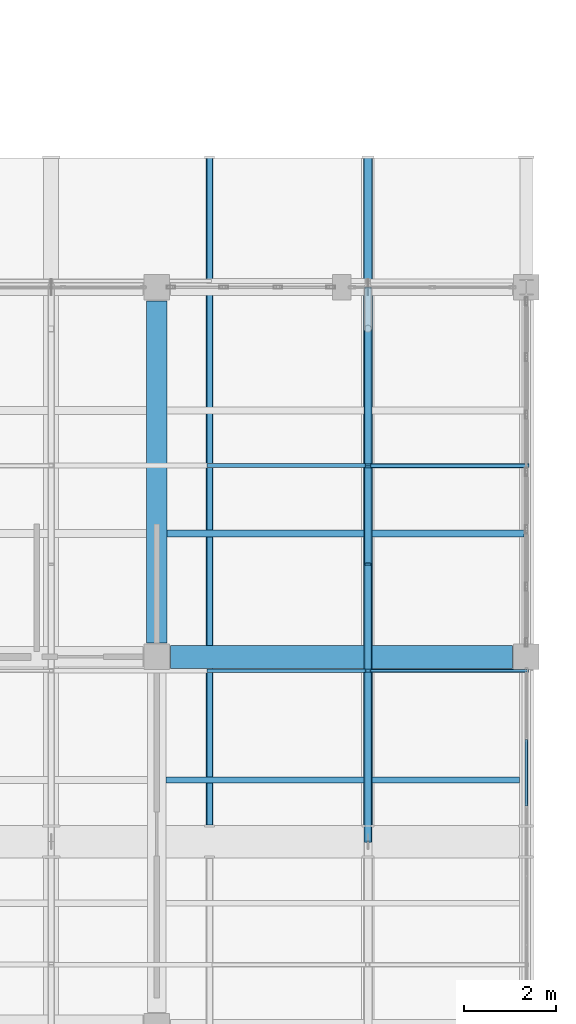
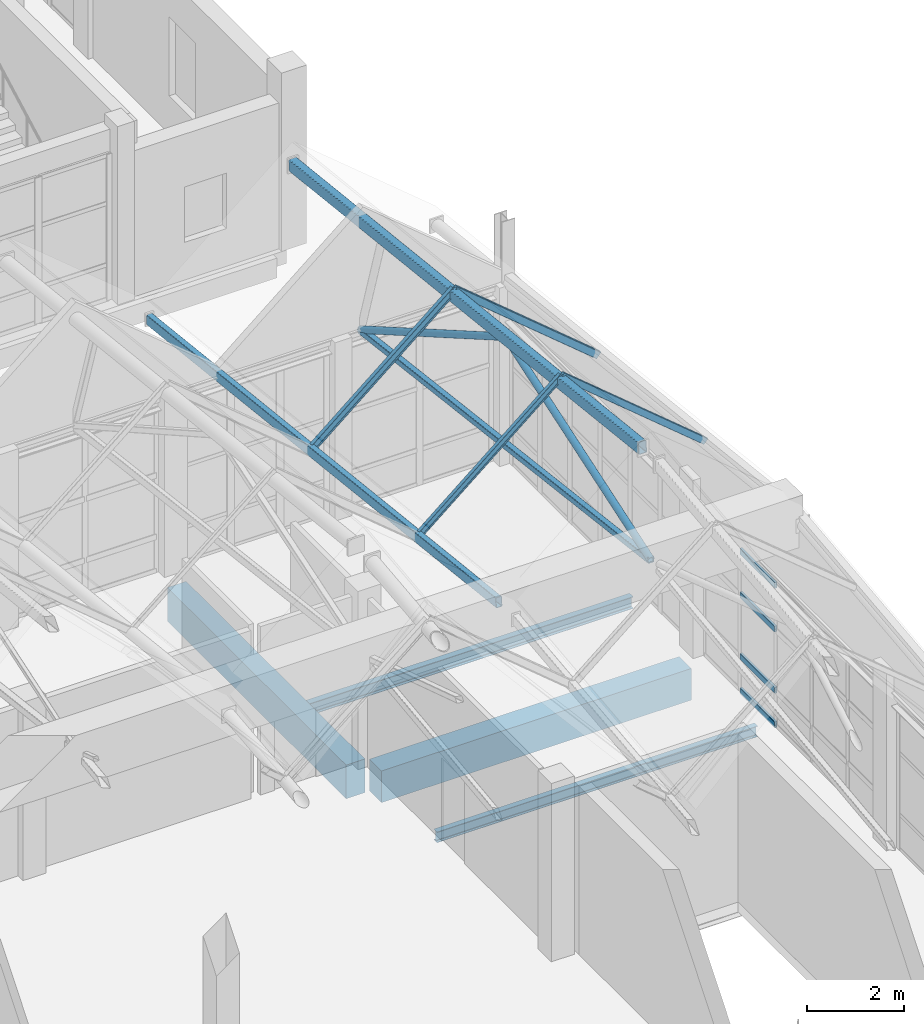
# One storey, part 88 of 183: 11 members, 6 beams, 1 element without a shape of its own.
"""IFC4 building model written with IfcOpenShell, lengths in metres."""

from ifc_helpers import new_model, si_unit, direction, frame, origin, origin_2d, place, context, subcontext, project, spatial, rectangle, hollow_rectangle, hollow_circle, i_section, extrude, material, material_profile, profile_set, type_object, element, aggregate, save


model = new_model("IFC4")

# Units and contexts
model_context = context("Model", 3, precision=1e-05, world=origin(), true_north=direction((0.0, 1.0)))
body_context = subcontext(model_context, "Body", "Model", "MODEL_VIEW")
ifc_project = project(units=[si_unit("LENGTHUNIT", "METRE"), si_unit("AREAUNIT", "SQUARE_METRE"), si_unit("VOLUMEUNIT", "CUBIC_METRE"), si_unit("PLANEANGLEUNIT", "RADIAN"), si_unit("MASSUNIT", "GRAM", prefix="KILO")], contexts=[model_context])

# Site, building, storey
site_placement = place(None, origin())
site = spatial("IfcSite", under=ifc_project, at=site_placement, CompositionType="ELEMENT")
building_placement = place(site_placement, origin())
building = spatial("IfcBuilding", under=site, at=building_placement, Name="Luwemba Playhouse", CompositionType="ELEMENT")
storey_placement = place(building_placement, frame((0.0, 0.0, 4.800048828125)))
storey = spatial("IfcBuildingStorey", under=building, at=storey_placement, Name="L01", CompositionType="ELEMENT", Elevation=4.800048828125)

# Beams
ifc_material_1 = material(Name="Concrete C40/50", Category="concrete")
ifc_material_profile_1 = material_profile(ifc_material_1, rectangle(XDim=0.449951171875, YDim=0.85009765625, at=origin_2d()))
ifc_profile_set_1 = profile_set([ifc_material_profile_1], Name="Concrete C40/50")
beam_type_1 = type_object("IfcBeamType", Name="BM-RB05", PredefinedType="BEAM", material=ifc_profile_set_1)
beam_1_placement = place(storey_placement, frame((164.0, 19.300048828125, -0.675048828125), z_axis=(0.0, 1.0, 0.0), x_axis=(-1.0, 0.0, 0.0)))
element("IfcBeam", 1, at=beam_1_placement, inside=storey, type_object=beam_type_1, Name="L01 transverse girder 0560", PredefinedType="BEAM", context=body_context, shape_type="SweptSolid", body=[
    extrude(rectangle(XDim=0.449951171875, YDim=0.85009765625, at=origin_2d()), origin(), (0.0, 0.0, 1.0), 7.39990234375),
])
ifc_material_profile_2 = material_profile(ifc_material_1, rectangle(XDim=0.5, YDim=0.800048828125, at=origin_2d()))
ifc_profile_set_2 = profile_set([ifc_material_profile_2], Name="Concrete C40/50")
beam_type_2 = type_object("IfcBeamType", Name="BM-RB06", PredefinedType="BEAM", material=ifc_profile_set_2)
beam_2_placement = place(storey_placement, frame((164.300048828125, 19.0, -0.650146484375), z_axis=(1.0, 0.0, 0.0), x_axis=(0.0, 1.0, 0.0)))
element("IfcBeam", 2, at=beam_2_placement, inside=storey, type_object=beam_type_2, Name="L01 grid girder 0536", PredefinedType="BEAM", context=body_context, shape_type="SweptSolid", body=[
    extrude(rectangle(XDim=0.5, YDim=0.800048828125, at=origin_2d()), origin(), (0.0, 0.0, 1.0), 7.39990234375),
])
ifc_material_2 = material(Name="Steel S355", Category="steel")
ifc_material_profile_3 = material_profile(ifc_material_2, hollow_rectangle(XDim=0.14990234375, YDim=0.25, WallThickness=0.010009765625, InnerFilletRadius=0.014892578125, OuterFilletRadius=0.02490234375, at=origin_2d()))
ifc_profile_set_3 = profile_set([ifc_material_profile_3], Name="Steel S355")
beam_type_3 = type_object("IfcBeamType", Name="BM-RTG1", PredefinedType="USERDEFINED", material=ifc_profile_set_3)
beam_3_placement = place(storey_placement, frame((165.142822265625, 15.35009765625, 5.78466796875), z_axis=(0.0, 0.993786292845, -0.111305005073), x_axis=(-1.0, 0.0, 0.0)))
element("IfcBeam", 3, at=beam_3_placement, inside=storey, type_object=beam_type_3, Name="ROOF TRUSS valley girder 0337", ObjectType="ROOF TRUSS", PredefinedType="USERDEFINED", context=body_context, shape_type="SweptSolid", body=[
    extrude(hollow_rectangle(XDim=0.14990234375, YDim=0.25, WallThickness=0.010009765625, InnerFilletRadius=0.014892578125, OuterFilletRadius=0.02490234375, at=origin_2d()), origin(), (0.0, 0.0, 1.0), 14.540283203125),
])
ifc_material_profile_4 = material_profile(ifc_material_2, hollow_rectangle(XDim=0.199951171875, YDim=0.300048828125, WallThickness=0.012451171875, InnerFilletRadius=0.018798828125, OuterFilletRadius=0.03125, at=origin_2d()))
ifc_profile_set_4 = profile_set([ifc_material_profile_4], Name="Steel S355")
beam_type_4 = type_object("IfcBeamType", Name="BM-RTG2", PredefinedType="USERDEFINED", material=ifc_profile_set_4)
beam_4_placement = place(storey_placement, frame((168.5712890625, 15.35009765625, 8.489013671875), z_axis=(0.0, 0.993786292845, -0.111305005073), x_axis=(-1.0, 0.0, 0.0)))
element("IfcBeam", 4, at=beam_4_placement, inside=storey, type_object=beam_type_4, Name="ROOF TRUSS ridge girder 0339", ObjectType="ROOF TRUSS", PredefinedType="USERDEFINED", context=body_context, shape_type="SweptSolid", body=[
    extrude(hollow_rectangle(XDim=0.199951171875, YDim=0.300048828125, WallThickness=0.012451171875, InnerFilletRadius=0.018798828125, OuterFilletRadius=0.03125, at=origin_2d()), origin(), (0.0, 0.0, 1.0), 14.540283203125),
])
ifc_material_profile_5 = material_profile(ifc_material_2, i_section(OverallWidth=0.135009765625, OverallDepth=0.27001953125, WebThickness=0.006591796875, FlangeThickness=0.01025390625, FilletRadius=0.014892578125, at=origin_2d()))
ifc_profile_set_5 = profile_set([ifc_material_profile_5], Name="Steel S355")
beam_type_5 = type_object("IfcBeamType", Name="BM-SJ04", PredefinedType="JOIST", material=ifc_profile_set_5)
beam_5_placement = place(storey_placement, frame((164.196044921875, 16.333251953125, -0.385009765625), z_axis=(1.0, 0.0, 0.0), x_axis=(0.0, 1.0, 0.0)))
element("IfcBeam", 5, at=beam_5_placement, inside=storey, type_object=beam_type_5, Name="L01 composite floor joist 0335", PredefinedType="JOIST", context=body_context, shape_type="SweptSolid", body=[
    extrude(i_section(OverallWidth=0.135009765625, OverallDepth=0.27001953125, WebThickness=0.006591796875, FlangeThickness=0.01025390625, FilletRadius=0.014892578125, at=origin_2d()), origin(), (0.0, 0.0, 1.0), 7.657958984375),
])
ifc_material_profile_6 = material_profile(ifc_material_2, i_section(OverallWidth=0.14990234375, OverallDepth=0.300048828125, WebThickness=0.007080078125, FlangeThickness=0.0107421875, FilletRadius=0.014892578125, at=origin_2d()))
ifc_profile_set_6 = profile_set([ifc_material_profile_6], Name="Steel S355")
beam_type_6 = type_object("IfcBeamType", Name="BM-SJ05", PredefinedType="JOIST", material=ifc_profile_set_6)
beam_6_placement = place(storey_placement, frame((164.220947265625, 21.666748046875, -0.400146484375), z_axis=(1.0, 0.0, 0.0), x_axis=(0.0, 1.0, 0.0)))
element("IfcBeam", 6, at=beam_6_placement, inside=storey, type_object=beam_type_6, Name="L01 composite floor joist 0336", PredefinedType="JOIST", context=body_context, shape_type="SweptSolid", body=[
    extrude(i_section(OverallWidth=0.14990234375, OverallDepth=0.300048828125, WebThickness=0.007080078125, FlangeThickness=0.0107421875, FilletRadius=0.014892578125, at=origin_2d()), origin(), (0.0, 0.0, 1.0), 7.733154296875),
])

# Curtain wall, members
ifc_material_3 = material(Name="Solar-control double glazing", Category="glass")
curtain_wall_type = type_object("IfcCurtainWallType", Name="CW-CW130", PredefinedType="USERDEFINED", material=ifc_material_3)
curtain_wall_placement = place(storey_placement, origin())
curtain_wall = element("IfcCurtainWall", 7, at=curtain_wall_placement, inside=storey, type_object=curtain_wall_type, Name="L01 V5E unitised curtain wall 168", ObjectType="UNITISED GLAZING", PredefinedType="USERDEFINED")
ifc_material_4 = material(Name="Aluminium 6063-T6", Category="aluminium")
ifc_material_profile_7 = material_profile(ifc_material_4, hollow_rectangle(XDim=0.06494140625, YDim=0.14990234375, WallThickness=0.00390625, InnerFilletRadius=0.006103515625, OuterFilletRadius=0.010009765625, at=origin_2d()))
ifc_profile_set_7 = profile_set([ifc_material_profile_7], Name="Aluminium 6063-T6")
member_type_1 = type_object("IfcMemberType", Name="CWT-T3", PredefinedType="USERDEFINED", material=ifc_profile_set_7)
member_1_placement = place(storey_placement, frame((172.0, 17.20751953125, 0.032470703125), z_axis=(0.0, -1.0, 0.0), x_axis=(1.0, 0.0, 0.0)))
member_1 = element("IfcMember", 8, at=member_1_placement, type_object=member_type_1, Name="CW130 transom 2.1", ObjectType="TRANSOM", PredefinedType="USERDEFINED", context=body_context, shape_type="SweptSolid", body=[
    extrude(hollow_rectangle(XDim=0.06494140625, YDim=0.14990234375, WallThickness=0.00390625, InnerFilletRadius=0.006103515625, OuterFilletRadius=0.010009765625, at=origin_2d()), origin(), (0.0, 0.0, 1.0), 1.43505859375),
])
member_2_placement = place(storey_placement, frame((172.0, 17.20751953125, 0.89990234375), z_axis=(0.0, -1.0, 0.0), x_axis=(1.0, 0.0, 0.0)))
member_2 = element("IfcMember", 9, at=member_2_placement, type_object=member_type_1, Name="CW130 transom 2.2", ObjectType="TRANSOM", PredefinedType="USERDEFINED", context=body_context, shape_type="SweptSolid", body=[
    extrude(hollow_rectangle(XDim=0.06494140625, YDim=0.14990234375, WallThickness=0.00390625, InnerFilletRadius=0.006103515625, OuterFilletRadius=0.010009765625, at=origin_2d()), origin(), (0.0, 0.0, 1.0), 1.43505859375),
])
member_3_placement = place(storey_placement, frame((172.0, 17.20751953125, 2.449951171875), z_axis=(0.0, -1.0, 0.0), x_axis=(1.0, 0.0, 0.0)))
member_3 = element("IfcMember", 10, at=member_3_placement, type_object=member_type_1, Name="CW130 transom 2.3", ObjectType="TRANSOM", PredefinedType="USERDEFINED", context=body_context, shape_type="SweptSolid", body=[
    extrude(hollow_rectangle(XDim=0.06494140625, YDim=0.14990234375, WallThickness=0.00390625, InnerFilletRadius=0.006103515625, OuterFilletRadius=0.010009765625, at=origin_2d()), origin(), (0.0, 0.0, 1.0), 1.43505859375),
])
member_4_placement = place(storey_placement, frame((172.0, 17.20751953125, 3.552490234375), z_axis=(0.0, -1.0, 0.0), x_axis=(1.0, 0.0, 0.0)))
member_4 = element("IfcMember", 11, at=member_4_placement, type_object=member_type_1, Name="CW130 transom 2.4", ObjectType="TRANSOM", PredefinedType="USERDEFINED", context=body_context, shape_type="SweptSolid", body=[
    extrude(hollow_rectangle(XDim=0.06494140625, YDim=0.14990234375, WallThickness=0.00390625, InnerFilletRadius=0.006103515625, OuterFilletRadius=0.010009765625, at=origin_2d()), origin(), (0.0, 0.0, 1.0), 1.43505859375),
])
aggregate(curtain_wall, [member_1, member_2, member_3, member_4])

# Members
ifc_material_profile_8 = material_profile(ifc_material_2, hollow_circle(Radius=0.084228515625, WallThickness=0.008056640625, at=origin_2d()))
ifc_profile_set_8 = profile_set([ifc_material_profile_8], Name="Steel S355")
member_type_2 = type_object("IfcMemberType", Name="MEM-MB02", PredefinedType="BRACE", material=ifc_profile_set_8)
member_5_placement = place(storey_placement, frame((168.5712890625, 15.0, 5.864013671875), z_axis=(0.0, 0.949053370106, 0.315115376793), x_axis=(-1.0, 0.0, 0.0)))
element("IfcMember", 12, at=member_5_placement, inside=storey, type_object=member_type_2, Name="ROOF TRUSS web diagonal 0305", PredefinedType="BRACE", context=body_context, shape_type="SweptSolid", body=[
    extrude(hollow_circle(Radius=0.084228515625, WallThickness=0.008056640625, at=origin_2d()), origin(), (0.0, 0.0, 1.0), 6.322021484375),
])
member_6_placement = place(storey_placement, frame((168.5712890625, 27.0, 4.39990234375), z_axis=(0.0, -0.866512940122, 0.499154609917), x_axis=(1.0, 0.0, 0.0)))
element("IfcMember", 13, at=member_6_placement, inside=storey, type_object=member_type_2, Name="ROOF TRUSS web diagonal 0306", PredefinedType="BRACE", context=body_context, shape_type="SweptSolid", body=[
    extrude(hollow_circle(Radius=0.084228515625, WallThickness=0.008056640625, at=origin_2d()), origin(), (0.0, 0.0, 1.0), 6.92431640625),
])
ifc_material_profile_9 = material_profile(ifc_material_2, hollow_rectangle(XDim=0.14990234375, YDim=0.14990234375, WallThickness=0.010009765625, InnerFilletRadius=0.014892578125, OuterFilletRadius=0.02490234375, at=origin_2d()))
ifc_profile_set_9 = profile_set([ifc_material_profile_9], Name="Steel S355")
member_type_3 = type_object("IfcMemberType", Name="MEM-MC02", PredefinedType="CHORD", material=ifc_profile_set_9)
member_7_placement = place(storey_placement, frame((168.5712890625, 15.0, 5.864013671875), z_axis=(0.0, 0.992638950812, -0.121111161052), x_axis=(-1.0, 0.0, 0.0)))
element("IfcMember", 14, at=member_7_placement, inside=storey, type_object=member_type_3, Name="ROOF TRUSS north bottom chord 0302", PredefinedType="CHORD", context=body_context, shape_type="SweptSolid", body=[
    extrude(hollow_rectangle(XDim=0.14990234375, YDim=0.14990234375, WallThickness=0.010009765625, InnerFilletRadius=0.014892578125, OuterFilletRadius=0.02490234375, at=origin_2d()), origin(), (0.0, 0.0, 1.0), 12.0888671875),
])
ifc_material_profile_10 = material_profile(ifc_material_2, hollow_rectangle(XDim=0.080078125, YDim=0.159912109375, WallThickness=0.00634765625, InnerFilletRadius=0.009521484375, OuterFilletRadius=0.015869140625, at=origin_2d()))
ifc_profile_set_10 = profile_set([ifc_material_profile_10], Name="Steel S355")
member_type_4 = type_object("IfcMemberType", Name="MEM-MP03", PredefinedType="PURLIN", material=ifc_profile_set_10)
member_8_placement = place(storey_placement, frame((168.5712890625, 18.699951171875, 8.2822265625), z_axis=(0.768337860515, 0.0, -0.640044476657), x_axis=(0.0, 1.0, 0.0)))
element("IfcMember", 15, at=member_8_placement, inside=storey, type_object=member_type_4, Name="Pleated roof purlin 0610", PredefinedType="PURLIN", context=body_context, shape_type="SweptSolid", body=[
    extrude(hollow_rectangle(XDim=0.080078125, YDim=0.159912109375, WallThickness=0.00634765625, InnerFilletRadius=0.009521484375, OuterFilletRadius=0.015869140625, at=origin_2d()), origin(), (0.0, 0.0, 1.0), 4.46240234375),
])
ifc_material_profile_11 = material_profile(ifc_material_2, hollow_rectangle(XDim=0.10009765625, YDim=0.179931640625, WallThickness=0.008056640625, InnerFilletRadius=0.011962890625, OuterFilletRadius=0.02001953125, at=origin_2d()))
ifc_profile_set_11 = profile_set([ifc_material_profile_11], Name="Steel S355")
member_type_5 = type_object("IfcMemberType", Name="MEM-MP04", PredefinedType="PURLIN", material=ifc_profile_set_11)
member_9_placement = place(storey_placement, frame((168.5712890625, 23.139892578125, 7.7666015625), z_axis=(0.768337860515, 0.0, -0.640044476657), x_axis=(0.0, 1.0, 0.0)))
element("IfcMember", 16, at=member_9_placement, inside=storey, type_object=member_type_5, Name="Pleated roof purlin 0611", PredefinedType="PURLIN", context=body_context, shape_type="SweptSolid", body=[
    extrude(hollow_rectangle(XDim=0.10009765625, YDim=0.179931640625, WallThickness=0.008056640625, InnerFilletRadius=0.011962890625, OuterFilletRadius=0.02001953125, at=origin_2d()), origin(), (0.0, 0.0, 1.0), 4.46240234375),
])
ifc_material_profile_12 = material_profile(ifc_material_2, i_section(OverallWidth=0.08203125, OverallDepth=0.159912109375, WebThickness=0.0048828125, FlangeThickness=0.00732421875, FilletRadius=0.009033203125, at=origin_2d()))
ifc_profile_set_12 = profile_set([ifc_material_profile_12], Name="Steel S355")
member_type_6 = type_object("IfcMemberType", Name="MEM-MP05", PredefinedType="PURLIN", material=ifc_profile_set_12)
member_10_placement = place(storey_placement, frame((165.142822265625, 18.699951171875, 5.42529296875), z_axis=(0.768342353216, 0.0, 0.640039083381), x_axis=(0.0, 1.0, 0.0)))
element("IfcMember", 17, at=member_10_placement, inside=storey, type_object=member_type_6, Name="Pleated roof purlin 0604", PredefinedType="PURLIN", context=body_context, shape_type="SweptSolid", body=[
    extrude(i_section(OverallWidth=0.08203125, OverallDepth=0.159912109375, WebThickness=0.0048828125, FlangeThickness=0.00732421875, FilletRadius=0.009033203125, at=origin_2d()), origin(), (0.0, 0.0, 1.0), 4.462158203125),
])
ifc_material_profile_13 = material_profile(ifc_material_2, i_section(OverallWidth=0.091064453125, OverallDepth=0.179931640625, WebThickness=0.00537109375, FlangeThickness=0.008056640625, FilletRadius=0.009033203125, at=origin_2d()))
ifc_profile_set_13 = profile_set([ifc_material_profile_13], Name="Steel S355")
member_type_7 = type_object("IfcMemberType", Name="MEM-MP06", PredefinedType="PURLIN", material=ifc_profile_set_13)
member_11_placement = place(storey_placement, frame((165.142822265625, 23.139892578125, 4.914306640625), z_axis=(0.768342353216, 0.0, 0.640039083381), x_axis=(0.0, 1.0, 0.0)))
element("IfcMember", 18, at=member_11_placement, inside=storey, type_object=member_type_7, Name="Pleated roof purlin 0605", PredefinedType="PURLIN", context=body_context, shape_type="SweptSolid", body=[
    extrude(i_section(OverallWidth=0.091064453125, OverallDepth=0.179931640625, WebThickness=0.00537109375, FlangeThickness=0.008056640625, FilletRadius=0.009033203125, at=origin_2d()), origin(), (0.0, 0.0, 1.0), 4.462158203125),
])

save(model, "model.ifc")
